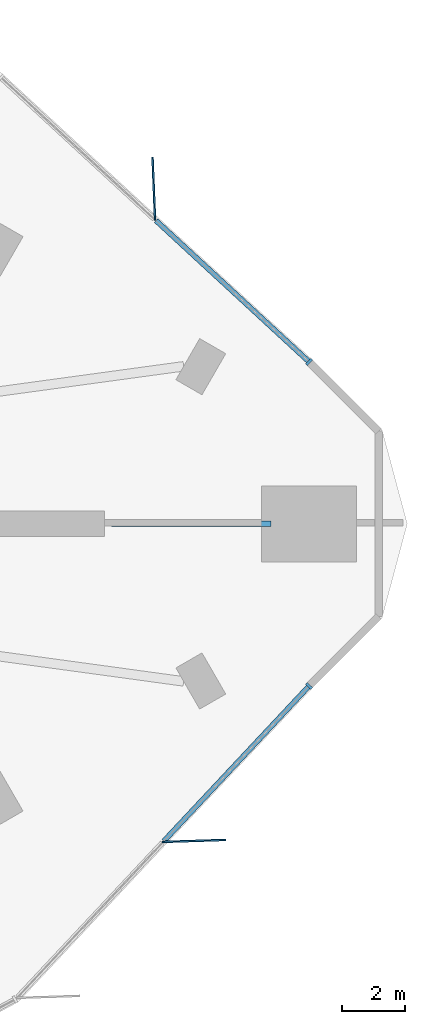
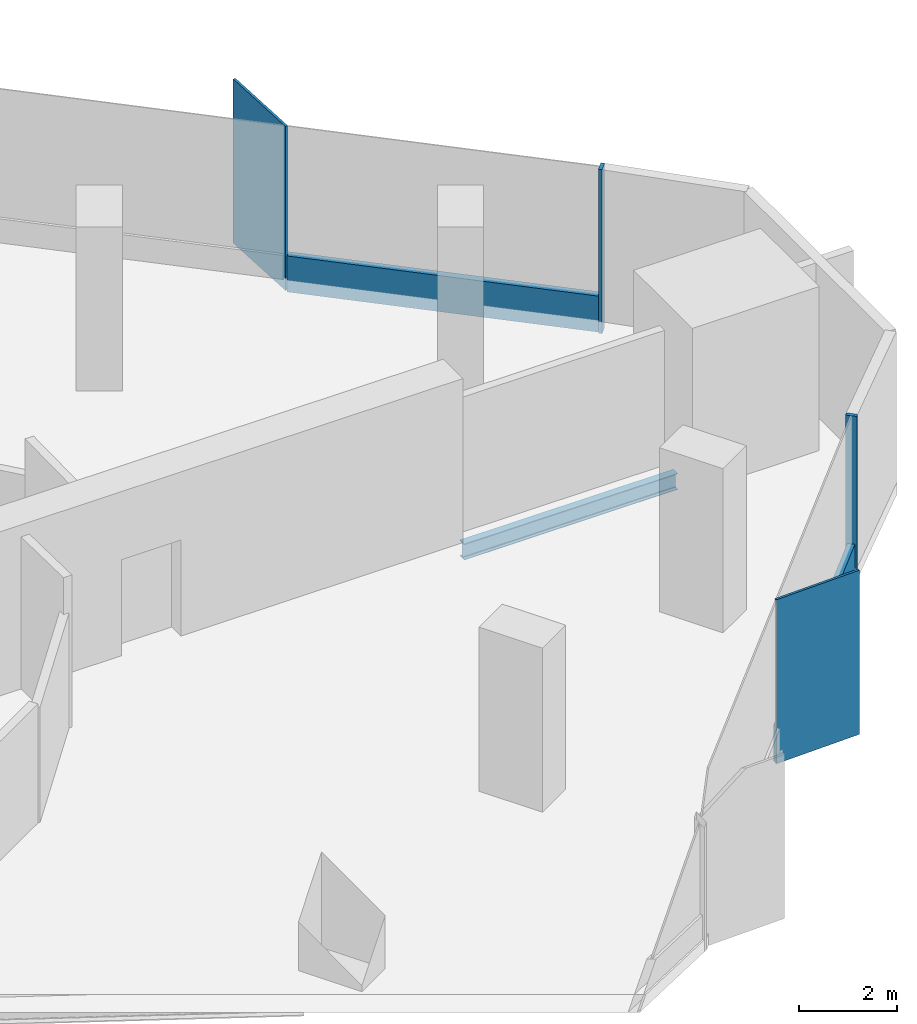
# One storey, part 6 of 14: 6 members, 1 beam, 2 elements without a shape of their own.
"""IFC4 building model written with IfcOpenShell, lengths in metres."""

from ifc_helpers import new_model, si_unit, direction, frame, origin, origin_2d, place, context, subcontext, project, spatial, rectangle, i_section, extrude, material, material_profile, profile_set, type_object, element, aggregate, save


model = new_model("IFC4")

# Units and contexts
model_context = context("Model", 3, precision=1e-05, world=origin(), true_north=direction((0.0, 1.0)))
body_context = subcontext(model_context, "Body", "Model", "MODEL_VIEW")
ifc_project = project(units=[si_unit("LENGTHUNIT", "METRE"), si_unit("AREAUNIT", "SQUARE_METRE"), si_unit("VOLUMEUNIT", "CUBIC_METRE"), si_unit("PLANEANGLEUNIT", "RADIAN"), si_unit("MASSUNIT", "GRAM", prefix="KILO")], contexts=[model_context])

# Site, building, storey
site_placement = place(None, origin())
site = spatial("IfcSite", under=ifc_project, at=site_placement, CompositionType="ELEMENT")
building_placement = place(site_placement, origin())
building = spatial("IfcBuilding", under=site, at=building_placement, Name="Tanit Gate Tower", CompositionType="ELEMENT")
storey_placement = place(building_placement, frame((0.0, 0.0, 119.300048828125)))
storey = spatial("IfcBuildingStorey", under=building, at=storey_placement, Name="L25", CompositionType="ELEMENT", Elevation=119.300048828125)

# Curtain wall, member
ifc_material_1 = material(Name="Aluminium bronze anodised and glass", Category="aluminium")
curtain_wall_type = type_object("IfcCurtainWallType", Name="Curtain wall typical low", PredefinedType="NOTDEFINED", material=ifc_material_1)
curtain_wall_1_placement = place(storey_placement, origin())
curtain_wall_1 = element("IfcCurtainWall", 1, at=curtain_wall_1_placement, inside=storey, type_object=curtain_wall_type, Name="Curtain wall L25 NE1", PredefinedType="NOTDEFINED")
ifc_material_2 = material(Name="Aluminium bronze anodised", Category="aluminium")
ifc_material_profile_1 = material_profile(ifc_material_2, rectangle(XDim=2.0, YDim=0.055908203125, at=origin_2d()), Name="56x2000 bronze fin mullion")
ifc_profile_set_1 = profile_set([ifc_material_profile_1], Name="Aluminium bronze anodised")
member_type_1 = type_object("IfcMemberType", Name="FIN MULLION 56x2000 bronze", PredefinedType="MULLION", material=ifc_profile_set_1)
member_1_placement = place(storey_placement, frame((35.520263671875, 10.579833984375, -0.300048828125), z_axis=(0.0, 0.0, 1.0), x_axis=(0.04032571996, -0.999186587335, 0.0)))
member_1 = element("IfcMember", 2, at=member_1_placement, type_object=member_type_1, Name="Fin mullion L25 NE1.2", PredefinedType="MULLION", context=body_context, shape_type="SweptSolid", body=[
    extrude(rectangle(XDim=2.0, YDim=0.055908203125, at=origin_2d()), origin(), (0.0, 0.0, 1.0), 4.10009765625),
])

curtain_wall_2_placement = place(storey_placement, origin())
curtain_wall_2 = element("IfcCurtainWall", 3, at=curtain_wall_2_placement, inside=storey, type_object=curtain_wall_type, Name="Curtain wall L25 SE3", PredefinedType="NOTDEFINED")
member_2_placement = place(storey_placement, frame((36.78857421875, -10.013427734375, -0.300048828125), z_axis=(0.0, 0.0, 1.0), x_axis=(-0.999463890821, -0.032740356511, 0.0)))
member_2 = element("IfcMember", 4, at=member_2_placement, type_object=member_type_1, Name="Fin mullion L25 SE3.2", PredefinedType="MULLION", context=body_context, shape_type="SweptSolid", body=[
    extrude(rectangle(XDim=2.0, YDim=0.055908203125, at=origin_2d()), origin(), (0.0, 0.0, 1.0), 4.10009765625),
])

# Member
ifc_material_3 = material(Name="Aluminium bronze anodised", Category="aluminium")
ifc_material_profile_2 = material_profile(ifc_material_3, rectangle(XDim=0.239990234375, YDim=0.080078125, at=origin_2d()), Name="80x240 bronze mullion")
ifc_profile_set_2 = profile_set([ifc_material_profile_2], Name="Aluminium bronze anodised")
member_type_2 = type_object("IfcMemberType", Name="Mullion 80x240 typical low", PredefinedType="MULLION", material=ifc_profile_set_2)
member_3_placement = place(storey_placement, frame((40.425537109375, 5.114990234375, -0.300048828125), z_axis=(0.0, 0.0, 1.0), x_axis=(-0.678017021535, -0.735046201615, 0.0)))
member_3 = element("IfcMember", 5, at=member_3_placement, type_object=member_type_2, Name="Mullion L25 NE1.1", PredefinedType="MULLION", context=body_context, shape_type="SweptSolid", body=[
    extrude(rectangle(XDim=0.239990234375, YDim=0.080078125, at=origin_2d()), origin(), (0.0, 0.0, 1.0), 4.10009765625),
])

member_4_placement = place(storey_placement, frame((40.42431640625, -5.1201171875, -0.300048828125), z_axis=(0.0, 0.0, 1.0), x_axis=(-0.729878622858, 0.683576766643, 0.0)))
member_4 = element("IfcMember", 6, at=member_4_placement, type_object=member_type_2, Name="Mullion L25 SE3.3", PredefinedType="MULLION", context=body_context, shape_type="SweptSolid", body=[
    extrude(rectangle(XDim=0.239990234375, YDim=0.080078125, at=origin_2d()), origin(), (0.0, 0.0, 1.0), 4.10009765625),
])

# Beam
ifc_material_4 = material(Name="Steel S355", Category="steel")
ifc_material_profile_3 = material_profile(ifc_material_4, i_section(OverallWidth=0.179931640625, OverallDepth=0.39990234375, WebThickness=0.008544921875, FlangeThickness=0.013427734375, FilletRadius=0.02099609375, at=origin_2d()), Name="IPE 400")
ifc_profile_set_3 = profile_set([ifc_material_profile_3], Name="Steel S355")
beam_type = type_object("IfcBeamType", Name="RADIAL GIRDER IPE 400 S355", PredefinedType="BEAM", material=ifc_profile_set_3)
beam_placement = place(storey_placement, frame((39.22314453125, 0.0, -0.5), z_axis=(-1.0, 0.0, 0.0), x_axis=(0.0, -1.0, 0.0)))
element("IfcBeam", 7, at=beam_placement, inside=storey, type_object=beam_type, Name="RADIAL GIRDER", PredefinedType="BEAM", context=body_context, shape_type="SweptSolid", body=[
    extrude(i_section(OverallWidth=0.179931640625, OverallDepth=0.39990234375, WebThickness=0.008544921875, FlangeThickness=0.013427734375, FilletRadius=0.02099609375, at=origin_2d()), origin(), (0.0, 0.0, 1.0), 5.046630859375),
])

# Member
ifc_material_5 = material(Name="Aluminium bronze anodised", Category="aluminium")
ifc_material_profile_4 = material_profile(ifc_material_5, rectangle(XDim=0.159912109375, YDim=0.89990234375, at=origin_2d()), Name="160x900 bronze transom")
ifc_profile_set_4 = profile_set([ifc_material_profile_4], Name="Aluminium bronze anodised")
member_type_3 = type_object("IfcMemberType", Name="Transom 160x900 typical low", PredefinedType="USERDEFINED", material=ifc_profile_set_4)
member_5_placement = place(storey_placement, frame((40.39599609375, 5.14208984375, 0.14990234375), z_axis=(-0.735035267358, 0.678028875299, 0.0), x_axis=(-0.678028875299, -0.735035267358, 0.0)))
member_5 = element("IfcMember", 8, at=member_5_placement, type_object=member_type_3, Name="Transom L25 NE1.1", ObjectType="TRANSOM", PredefinedType="USERDEFINED", context=body_context, shape_type="SweptSolid", body=[
    extrude(rectangle(XDim=0.159912109375, YDim=0.89990234375, at=origin_2d()), origin(), (0.0, 0.0, 1.0), 6.53955078125),
])

aggregate(curtain_wall_1, [member_3, member_1, member_5])

member_6_placement = place(storey_placement, frame((35.839111328125, -10.01611328125, 0.14990234375), z_axis=(0.683568341498, 0.72988651344, 0.0), x_axis=(-0.72988651344, 0.683568341498, 0.0)))
member_6 = element("IfcMember", 9, at=member_6_placement, type_object=member_type_3, Name="Transom L25 SE3.2", ObjectType="TRANSOM", PredefinedType="USERDEFINED", context=body_context, shape_type="SweptSolid", body=[
    extrude(rectangle(XDim=0.159912109375, YDim=0.89990234375, at=origin_2d()), origin(), (0.0, 0.0, 1.0), 6.667724609375),
])

aggregate(curtain_wall_2, [member_2, member_4, member_6])

save(model, "model.ifc")
